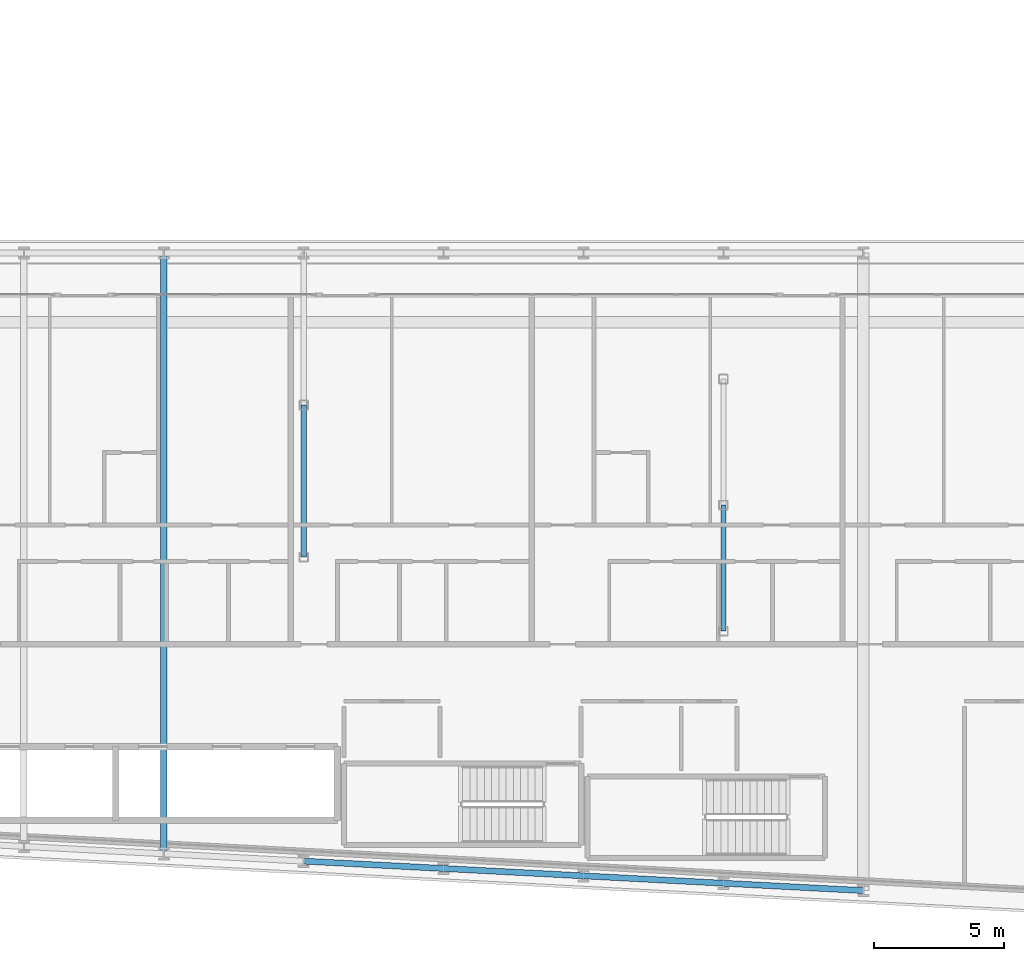
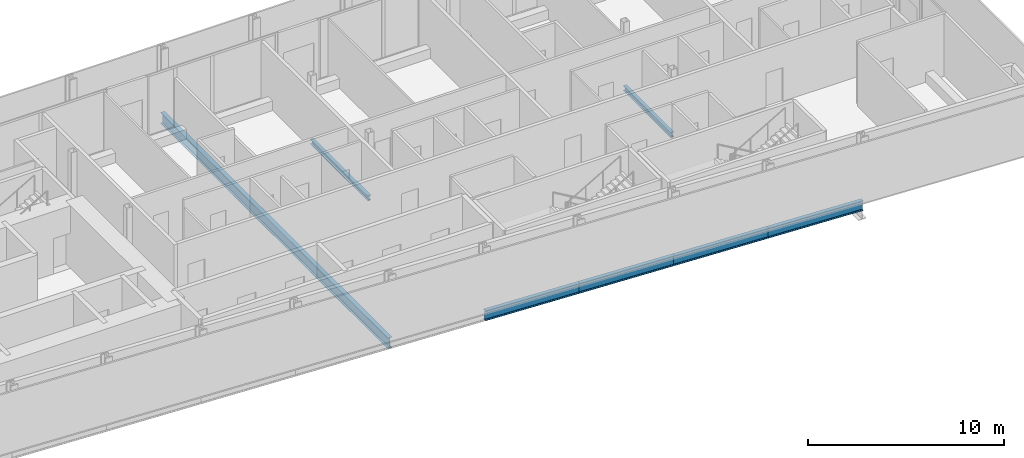
# One storey, part 5 of 27: 7 beams.
"""IFC4 building model written with IfcOpenShell, lengths in metres."""

from ifc_helpers import new_model, si_unit, direction, frame, origin, origin_2d, place, context, subcontext, project, spatial, i_section, extrude, material, material_profile, profile_set, type_object, element, save


model = new_model("IFC4")

# Units and contexts
model_context = context("Model", 3, precision=1e-05, world=origin(), true_north=direction((0.0, 1.0)))
body_context = subcontext(model_context, "Body", "Model", "MODEL_VIEW")
ifc_project = project(units=[si_unit("LENGTHUNIT", "METRE"), si_unit("AREAUNIT", "SQUARE_METRE"), si_unit("VOLUMEUNIT", "CUBIC_METRE"), si_unit("PLANEANGLEUNIT", "RADIAN"), si_unit("MASSUNIT", "GRAM", prefix="KILO")], contexts=[model_context])

# Site, building, storey
site_placement = place(None, origin())
site = spatial("IfcSite", under=ifc_project, at=site_placement, CompositionType="ELEMENT")
building_placement = place(site_placement, origin())
building = spatial("IfcBuilding", under=site, at=building_placement, Name="Kheshtan School and Residences Tower", CompositionType="ELEMENT")
storey_placement = place(building_placement, frame((0.0, 0.0, 57.800048828125)))
storey = spatial("IfcBuildingStorey", under=building, at=storey_placement, Name="L13", CompositionType="ELEMENT", Elevation=57.800048828125)

# Beams
ifc_material = material(Name="Steel ASTM A992 Grade 50", Category="steel")
ifc_material_profile_1 = material_profile(ifc_material, i_section(OverallWidth=0.202880859375, OverallDepth=0.302978515625, WebThickness=0.007568359375, FlangeThickness=0.01318359375, FilletRadius=0.009033203125, at=origin_2d()), Name="W310x60")
ifc_profile_set_1 = profile_set([ifc_material_profile_1], Name="Steel ASTM A992 Grade 50")
beam_type_1 = type_object("IfcBeamType", Name="Beam FB1 W310x60 ASTM A992 Grade 50", PredefinedType="BEAM", material=ifc_profile_set_1)
beam_1_placement = place(storey_placement, frame((85.39990234375, 31.0048828125, -0.301513671875), z_axis=(0.0, 1.0, 0.0), x_axis=(-1.0, 0.0, 0.0)))
element("IfcBeam", 1, at=beam_1_placement, inside=storey, type_object=beam_type_1, Name="Floor beam IC", PredefinedType="BEAM", context=body_context, shape_type="SweptSolid", body=[
    extrude(i_section(OverallWidth=0.202880859375, OverallDepth=0.302978515625, WebThickness=0.007568359375, FlangeThickness=0.01318359375, FilletRadius=0.009033203125, at=origin_2d()), origin(), (0.0, 0.0, 1.0), 4.865234375),
])
beam_2_placement = place(storey_placement, frame((69.199951171875, 33.863037109375, -0.301513671875), z_axis=(0.0, 1.0, 0.0), x_axis=(-1.0, 0.0, 0.0)))
element("IfcBeam", 2, at=beam_2_placement, inside=storey, type_object=beam_type_1, Name="Floor beam IC", PredefinedType="BEAM", context=body_context, shape_type="SweptSolid", body=[
    extrude(i_section(OverallWidth=0.202880859375, OverallDepth=0.302978515625, WebThickness=0.007568359375, FlangeThickness=0.01318359375, FilletRadius=0.009033203125, at=origin_2d()), origin(), (0.0, 0.0, 1.0), 5.868896484375),
])
ifc_material_profile_2 = material_profile(ifc_material, i_section(OverallWidth=0.2529296875, OverallDepth=0.677978515625, WebThickness=0.01171875, FlangeThickness=0.016357421875, FilletRadius=0.0146484375, at=origin_2d()), Name="W690x125")
ifc_profile_set_2 = profile_set([ifc_material_profile_2], Name="Steel ASTM A992 Grade 50")
beam_type_2 = type_object("IfcBeamType", Name="Beam FB6 W690x125 ASTM A992 Grade 50", PredefinedType="BEAM", material=ifc_profile_set_2)
beam_3_placement = place(storey_placement, frame((63.800048828125, 22.410888671875, -0.489013671875), z_axis=(0.0, 1.0, 0.0), x_axis=(-1.0, 0.0, 0.0)))
element("IfcBeam", 3, at=beam_3_placement, inside=storey, type_object=beam_type_2, Name="Floor beam C016", PredefinedType="BEAM", context=body_context, shape_type="SweptSolid", body=[
    extrude(i_section(OverallWidth=0.2529296875, OverallDepth=0.677978515625, WebThickness=0.01171875, FlangeThickness=0.016357421875, FilletRadius=0.0146484375, at=origin_2d()), origin(), (0.0, 0.0, 1.0), 23.189208984375),
])
ifc_material_profile_3 = material_profile(ifc_material, i_section(OverallWidth=0.22998046875, OverallDepth=0.616943359375, WebThickness=0.01318359375, FlangeThickness=0.022216796875, FilletRadius=0.0185546875, at=origin_2d()), Name="W610x140")
ifc_profile_set_3 = profile_set([ifc_material_profile_3], Name="Steel ASTM A992 Grade 50")
beam_type_3 = type_object("IfcBeamType", Name="Beam SP1 W610x140 ASTM A992 Grade 50", PredefinedType="BEAM", material=ifc_profile_set_3)
beam_4_placement = place(storey_placement, frame((90.800048828125, 20.989990234375, -0.45849609375), z_axis=(-0.998620571751, 0.05250670125, 0.0), x_axis=(-0.05250670125, -0.998620571751, 0.0)))
element("IfcBeam", 4, at=beam_4_placement, inside=storey, type_object=beam_type_3, Name="Spandrel beam C006-C008", PredefinedType="BEAM", context=body_context, shape_type="SweptSolid", body=[
    extrude(i_section(OverallWidth=0.22998046875, OverallDepth=0.616943359375, WebThickness=0.01318359375, FlangeThickness=0.022216796875, FilletRadius=0.0185546875, at=origin_2d()), origin(), (0.0, 0.0, 1.0), 5.40771484375),
])
for number, where, z_axis, x_axis, name in (
    (5, (85.39990234375, 21.27392578125, -0.45849609375), (-0.998618078766, 0.052554093665, 0.0), (-0.052554093665, -0.998618078766, 0.0), "Spandrel beam C008-C012"),
    (6, (80.0, 21.55810546875, -0.45849609375), (-0.998610961136, 0.052689166816, 0.0), (-0.052689166816, -0.998610961136, 0.0), "Spandrel beam C012-C013"),
):
    element("IfcBeam", number, at=place(storey_placement, frame(where, z_axis=z_axis, x_axis=x_axis)), inside=storey, type_object=beam_type_3, Name=name, PredefinedType="BEAM", context=body_context, shape_type="SweptSolid", body=[
        extrude(i_section(OverallWidth=0.22998046875, OverallDepth=0.616943359375, WebThickness=0.01318359375, FlangeThickness=0.022216796875, FilletRadius=0.0185546875, at=origin_2d()), origin(), (0.0, 0.0, 1.0), 5.407470703125),
    ])
beam_5_placement = place(storey_placement, frame((74.60009765625, 21.843017578125, -0.45849609375), z_axis=(-0.998620571751, 0.05250670125, 0.0), x_axis=(-0.05250670125, -0.998620571751, 0.0)))
element("IfcBeam", 7, at=beam_5_placement, inside=storey, type_object=beam_type_3, Name="Spandrel beam C013-C014", PredefinedType="BEAM", context=body_context, shape_type="SweptSolid", body=[
    extrude(i_section(OverallWidth=0.22998046875, OverallDepth=0.616943359375, WebThickness=0.01318359375, FlangeThickness=0.022216796875, FilletRadius=0.0185546875, at=origin_2d()), origin(), (0.0, 0.0, 1.0), 5.40771484375),
])

save(model, "model.ifc")
